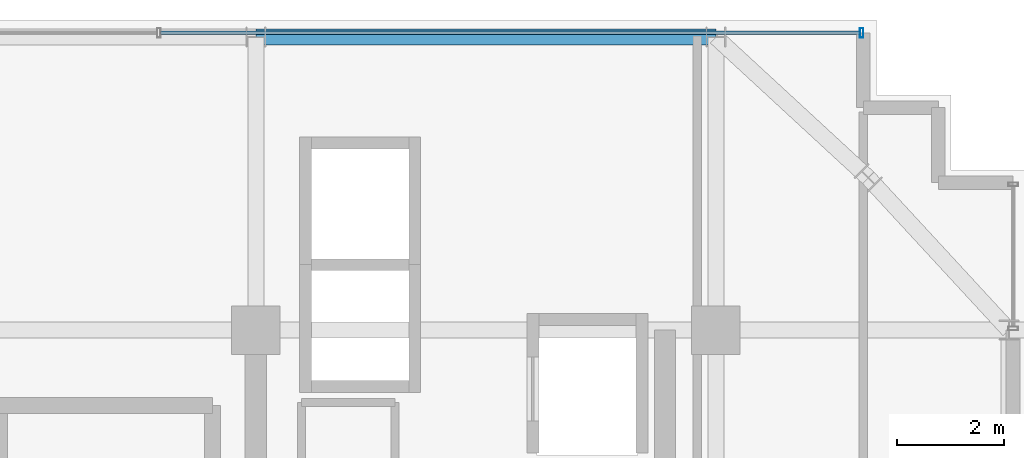
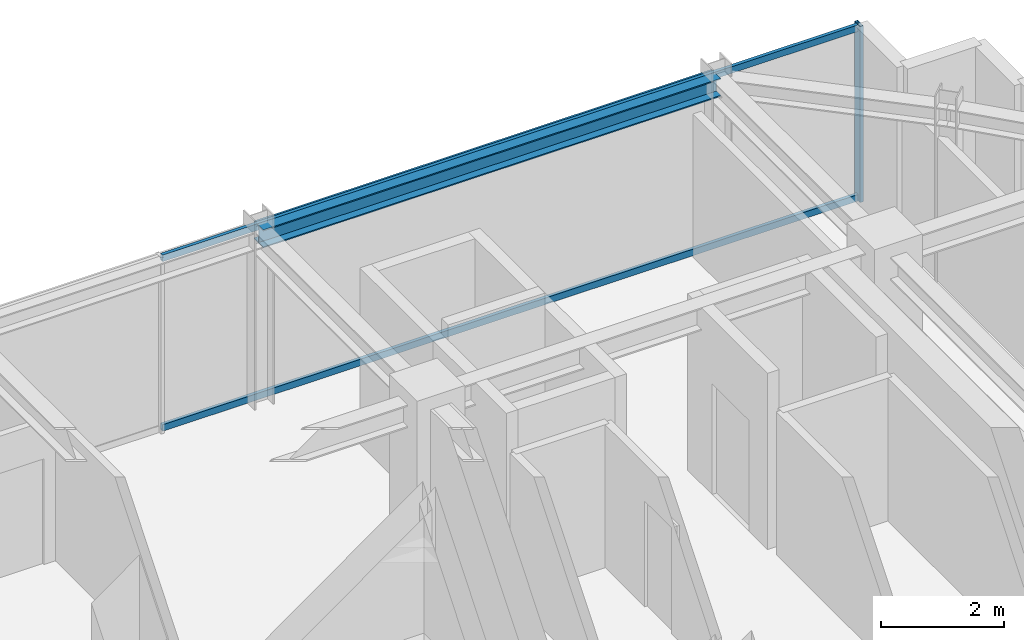
# One storey, part 25 of 32: 3 members, 1 beam, 1 element without a shape of its own.
"""IFC4 building model written with IfcOpenShell, lengths in metres."""

from ifc_helpers import new_model, si_unit, direction, frame, origin, origin_2d, place, context, subcontext, project, spatial, hollow_rectangle, i_section, extrude, source, transform, mapped, material, material_profile, profile_set, type_object, element, aggregate, save


model = new_model("IFC4")

# Units and contexts
model_context = context("Model", 3, precision=1e-05, world=origin(), true_north=direction((0.0, 1.0)))
body_context = subcontext(model_context, "Body", "Model", "MODEL_VIEW")
ifc_project = project(units=[si_unit("LENGTHUNIT", "METRE"), si_unit("AREAUNIT", "SQUARE_METRE"), si_unit("VOLUMEUNIT", "CUBIC_METRE"), si_unit("PLANEANGLEUNIT", "RADIAN"), si_unit("MASSUNIT", "GRAM", prefix="KILO")], contexts=[model_context])

# Site, building, storey
site_placement = place(None, origin())
site = spatial("IfcSite", under=ifc_project, at=site_placement, CompositionType="ELEMENT")
building_placement = place(site_placement, origin())
building = spatial("IfcBuilding", under=site, at=building_placement, Name="Nahalor Promenade Grand Hotel", CompositionType="ELEMENT")
storey_placement = place(building_placement, frame((0.0, 0.0, 330.949951171875)))
storey = spatial("IfcBuildingStorey", under=building, at=storey_placement, Name="L85", CompositionType="ELEMENT", Elevation=330.949951171875)

# Beam
ifc_material_1 = material(Name="Steel S355JR", Category="steel")
ifc_material_profile_1 = material_profile(ifc_material_1, i_section(OverallWidth=0.3, OverallDepth=0.36, WebThickness=0.0125, FlangeThickness=0.0225, at=origin_2d()), Name="HEB 360")
ifc_profile_set_1 = profile_set([ifc_material_profile_1], Name="Steel S355JR")
beam_type = type_object("IfcBeamType", Name="Beam-Spandrel-HEB360", PredefinedType="SPANDREL", material=ifc_profile_set_1)
shared_shape_1 = source(origin(), body_context, "Body", "SweptSolid", [
    extrude(i_section(OverallWidth=0.3, OverallDepth=0.36, WebThickness=0.0125, FlangeThickness=0.0225, at=origin_2d()), origin(), (0.0, 0.0, 1.0), 8.60009765625),
])
beam_placement = place(storey_placement, frame((8.39990234375, 22.47998046875, 3.320068359375), z_axis=(1.0, 0.0, 0.0), x_axis=(0.0, 1.0, 0.0)))
element("IfcBeam", 1, at=beam_placement, inside=storey, type_object=beam_type, Name="BM-L85-SP-N-4", PredefinedType="SPANDREL", context=body_context, shape_type="MappedRepresentation", body=[
    mapped(shared_shape_1, transform((0.0, 0.0, 0.0), scale=1.0)),
])

# Curtain wall, members
ifc_material_2 = material(Name="Anodised Bronze Aluminium EN AW-6063 T6", Category="aluminium")
curtain_wall_type = type_object("IfcCurtainWallType", Name="CW2 Typical Hotel Flush Bronze Unitised Curtain Wall", PredefinedType="USERDEFINED", material=ifc_material_2)
curtain_wall_placement = place(storey_placement, origin())
curtain_wall = element("IfcCurtainWall", 2, at=curtain_wall_placement, inside=storey, type_object=curtain_wall_type, Name="L85 Curtain Wall CW-L85-N-1", ObjectType="UNITISED_CURTAIN_WALL", PredefinedType="USERDEFINED")
ifc_material_profile_2 = material_profile(ifc_material_2, hollow_rectangle(XDim=0.065, YDim=0.13, WallThickness=0.004, at=origin_2d()), Name="CWT 65x130x4")
ifc_profile_set_2 = profile_set([ifc_material_profile_2], Name="Anodised Bronze Aluminium EN AW-6063 T6")
member_type_1 = type_object("IfcMemberType", Name="CWT2 Typical Bronze Transom 65x130", PredefinedType="USERDEFINED", material=ifc_profile_set_2)
shared_shape_2 = source(origin(), body_context, "Body", "SweptSolid", [
    extrude(hollow_rectangle(XDim=0.065, YDim=0.13, WallThickness=0.004, at=origin_2d()), origin(), (0.0, 0.0, 1.0), 13.075927734375),
])
member_1_placement = place(storey_placement, frame((6.619140625, 22.56005859375, 0.06494140625), z_axis=(1.0, 0.0, 0.0), x_axis=(0.0, 1.0, 0.0)))
member_1 = element("IfcMember", 3, at=member_1_placement, type_object=member_type_1, Name="CW-L85-N-1 Transom 2-0", ObjectType="TRANSOM", PredefinedType="USERDEFINED", context=body_context, shape_type="MappedRepresentation", body=[
    mapped(shared_shape_2, transform((0.0, 0.0, 0.0), scale=1.0)),
])
member_2_placement = place(storey_placement, frame((6.619140625, 22.56005859375, 3.43505859375), z_axis=(1.0, 0.0, 0.0), x_axis=(0.0, 1.0, 0.0)))
member_2 = element("IfcMember", 4, at=member_2_placement, type_object=member_type_1, Name="CW-L85-N-1 Transom 2-1", ObjectType="TRANSOM", PredefinedType="USERDEFINED", context=body_context, shape_type="MappedRepresentation", body=[
    mapped(shared_shape_2, transform((0.0, 0.0, 0.0), scale=1.0)),
])
ifc_material_profile_3 = material_profile(ifc_material_2, hollow_rectangle(XDim=0.065, YDim=0.18, WallThickness=0.004, at=origin_2d()), Name="CWM 65x180x4")
ifc_profile_set_3 = profile_set([ifc_material_profile_3], Name="Anodised Bronze Aluminium EN AW-6063 T6")
member_type_2 = type_object("IfcMemberType", Name="CWM2 Typical Bronze Mullion 65x180", PredefinedType="MULLION", material=ifc_profile_set_3)
shared_shape_3 = source(origin(), body_context, "Body", "SweptSolid", [
    extrude(hollow_rectangle(XDim=0.065, YDim=0.18, WallThickness=0.004, at=origin_2d()), origin(), (0.0, 0.0, 1.0), 3.5),
])
member_3_placement = place(storey_placement, frame((19.7275390625, 22.56005859375, 0.0), z_axis=(0.0, 0.0, 1.0), x_axis=(1.0, 0.0, 0.0)))
member_3 = element("IfcMember", 5, at=member_3_placement, type_object=member_type_2, Name="CW-L85-N-1 Mullion 3", PredefinedType="MULLION", context=body_context, shape_type="MappedRepresentation", body=[
    mapped(shared_shape_3, transform((0.0, 0.0, 0.0), scale=1.0)),
])
aggregate(curtain_wall, [member_3, member_1, member_2])

save(model, "model.ifc")
